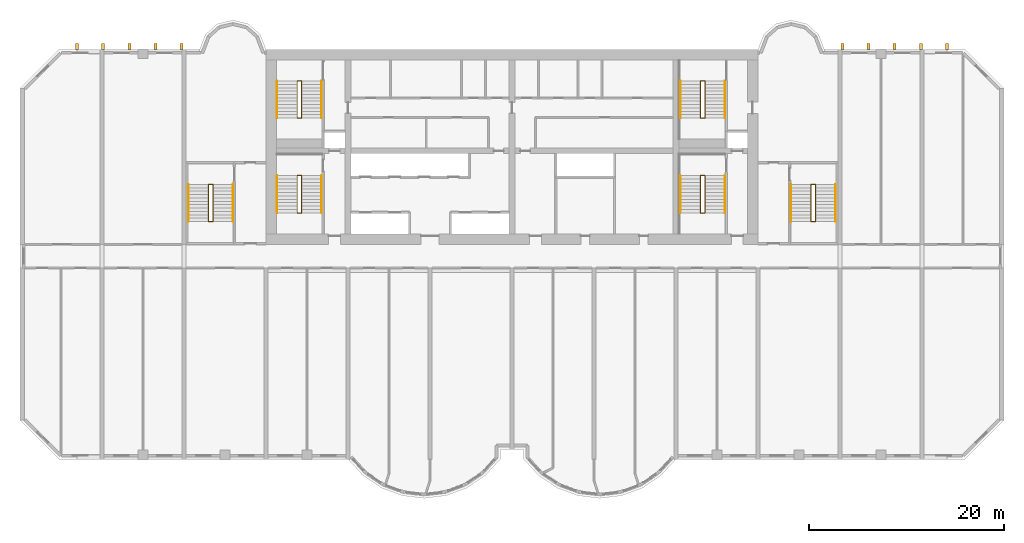
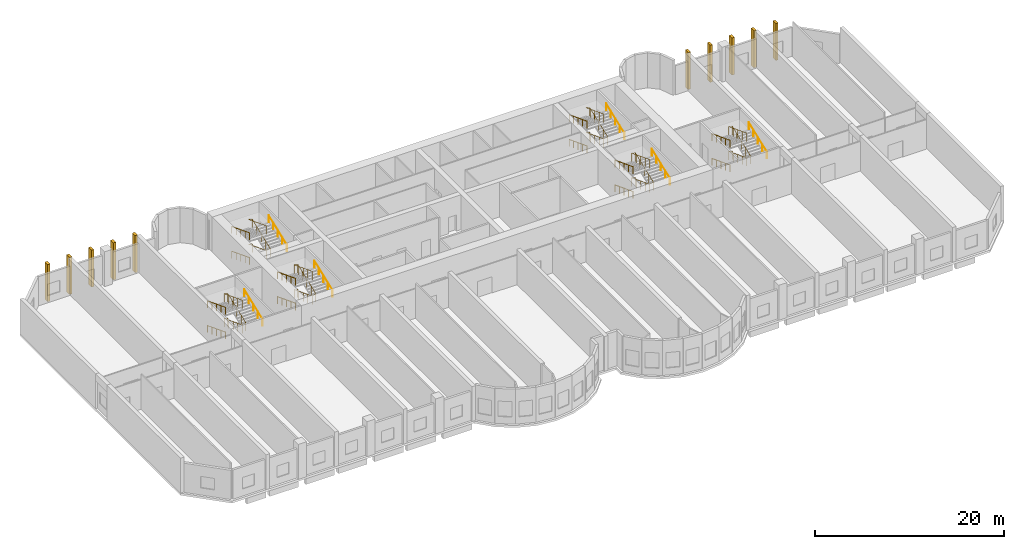
# One storey, part 10 of 10: 24 railings, 10 coverings.
"""IFC4 building model written with IfcOpenShell, lengths in metres."""

from ifc_helpers import new_model, si_unit, direction, frame, origin, origin_2d, place, context, subcontext, project, spatial, rectangle, circle, extrude, source, transform, mapped, material, material_profile, profile_set, type_object, element, save


model = new_model("IFC4")

# Units and contexts
model_context = context("Model", 3, precision=1e-05, world=origin(), true_north=direction((0.0, 1.0)))
body_context = subcontext(model_context, "Body", "Model", "MODEL_VIEW")
ifc_project = project(units=[si_unit("LENGTHUNIT", "METRE"), si_unit("AREAUNIT", "SQUARE_METRE"), si_unit("VOLUMEUNIT", "CUBIC_METRE"), si_unit("PLANEANGLEUNIT", "RADIAN"), si_unit("MASSUNIT", "GRAM", prefix="KILO")], contexts=[model_context])

# Site, building, storey
site_placement = place(None, origin())
site = spatial("IfcSite", under=ifc_project, at=site_placement, CompositionType="ELEMENT")
building_placement = place(site_placement, origin())
building = spatial("IfcBuilding", under=site, at=building_placement, Name="Vanashikhar Sky Hotel", CompositionType="ELEMENT")
storey_placement = place(building_placement, frame((0.0, 0.0, 23.0)))
storey = spatial("IfcBuildingStorey", under=building, at=storey_placement, Name="L04", CompositionType="ELEMENT", Elevation=23.0)

# Coverings
ifc_material_1 = material(Name="Concrete M60 dark", Category="concrete")
ifc_material_profile = material_profile(ifc_material_1, rectangle(XDim=0.60009765625, YDim=0.300048828125, at=origin_2d()))
ifc_profile_set = profile_set([ifc_material_profile], Name="Rear rib 600 x 300")
covering_type = type_object("IfcCoveringType", Name="Rear rib 600 x 300", PredefinedType="CLADDING", material=ifc_profile_set)
shared_shape_1 = source(origin(), body_context, "Body", "SweptSolid", [
    extrude(rectangle(XDim=0.60009765625, YDim=0.300048828125, at=origin_2d()), origin(), (0.0, 0.0, 1.0), 4.800048828125),
])
for number, where, z_axis, x_axis, name in (
    (1, (5.840087890625, 42.300048828125, -0.280029296875), (0.0, 0.0, 1.0), (0.0, 1.0, 0.0), "Rear rib"),
    (2, (8.52001953125, 42.300048828125, -0.280029296875), (0.0, 0.0, 1.0), (0.0, 1.0, 0.0), "Rear rib"),
    (3, (11.199951171875, 42.300048828125, -0.280029296875), (0.0, 0.0, 1.0), (0.0, 1.0, 0.0), "Rear rib"),
    (4, (13.8798828125, 42.300048828125, -0.280029296875), (0.0, 0.0, 1.0), (0.0, 1.0, 0.0), "Rear rib"),
    (5, (16.56005859375, 42.300048828125, -0.280029296875), (0.0, 0.0, 1.0), (0.0, 1.0, 0.0), "Rear rib"),
    (6, (84.239990234375, 42.300048828125, -0.280029296875), (0.0, 0.0, 1.0), (0.0, 1.0, 0.0), "Rear rib"),
    (7, (86.919921875, 42.300048828125, -0.280029296875), (0.0, 0.0, 1.0), (0.0, 1.0, 0.0), "Rear rib"),
    (8, (89.60009765625, 42.300048828125, -0.280029296875), (0.0, 0.0, 1.0), (0.0, 1.0, 0.0), "Rear rib"),
    (9, (92.280029296875, 42.300048828125, -0.280029296875), (0.0, 0.0, 1.0), (0.0, 1.0, 0.0), "Rear rib"),
    (10, (94.9599609375, 42.300048828125, -0.280029296875), (0.0, 0.0, 1.0), (0.0, 1.0, 0.0), "Rear rib"),
):
    element("IfcCovering", number, at=place(storey_placement, frame(where, z_axis=z_axis, x_axis=x_axis)), inside=storey, type_object=covering_type, Name=name, PredefinedType="CLADDING", context=body_context, shape_type="MappedRepresentation", body=[
        mapped(shared_shape_1, transform((0.0, 0.0, 0.0), scale=1.0)),
    ])

# Railings
ifc_material_2 = material(Name="Steel S355", Category="steel")
railing_type_1 = type_object("IfcRailingType", Name="Stair guard 1100", PredefinedType="GUARDRAIL", material=ifc_material_2)
shared_shape_2 = source(origin(), body_context, "Body", "SweptSolid", [
    extrude(circle(Radius=0.02392578125, at=origin_2d()), frame((0.0, 0.0, 1.076171875), z_axis=(-0.958850553768, 0.0, 0.283911281105), x_axis=(0.0, -1.0, 0.0)), (0.0, 0.0, 1.0), 0.469482421875),
    extrude(circle(Radius=0.02392578125, at=origin_2d()), frame((-0.4501953125, 0.0, 1.20947265625), z_axis=(0.0, -0.932913945768, 0.360099388768), x_axis=(1.0, 0.0, 0.0)), (0.0, 0.0, 1.0), 4.0732421875),
    extrude(circle(Radius=0.02392578125, at=origin_2d()), frame((-0.4501953125, -3.800048828125, 2.67626953125), z_axis=(0.958850553768, 0.0, 0.283911281105), x_axis=(0.0, 1.0, 0.0)), (0.0, 0.0, 1.0), 0.469482421875),
    extrude(circle(Radius=0.02392578125, at=origin_2d()), frame((0.0, -3.800048828125, 2.8095703125), z_axis=(0.0, 0.932934079967, 0.360047222509), x_axis=(-1.0, 0.0, 0.0)), (0.0, 0.0, 1.0), 4.0732421875),
    extrude(circle(Radius=0.02392578125, at=origin_2d()), frame((0.0, 0.0, 4.27587890625), z_axis=(-0.958850553768, 0.0, 0.283911281105), x_axis=(0.0, -1.0, 0.0)), (0.0, 0.0, 1.0), 0.469482421875),
    extrude(circle(Radius=0.02392578125, at=origin_2d()), frame((-0.4501953125, 0.0, 4.4091796875), z_axis=(0.0, -0.932913945768, 0.360099388768), x_axis=(1.0, 0.0, 0.0)), (0.0, 0.0, 1.0), 4.0732421875),
    extrude(circle(Radius=0.02099609375, at=origin_2d()), origin(), (0.0, 0.0, 1.0), 1.052001953125),
    extrude(circle(Radius=0.02099609375, at=origin_2d()), frame((-0.4501953125, 0.0, 0.13330078125)), (0.0, 0.0, 1.0), 1.052001953125),
    extrude(circle(Radius=0.02099609375, at=origin_2d()), frame((-0.4501953125, -0.949951171875, 0.5)), (0.0, 0.0, 1.0), 1.052001953125),
    extrude(circle(Radius=0.02099609375, at=origin_2d()), frame((-0.4501953125, -1.89990234375, 0.86669921875)), (0.0, 0.0, 1.0), 1.052001953125),
    extrude(circle(Radius=0.02099609375, at=origin_2d()), frame((-0.4501953125, -2.85009765625, 1.2333984375)), (0.0, 0.0, 1.0), 1.052001953125),
    extrude(circle(Radius=0.02099609375, at=origin_2d()), frame((-0.4501953125, -3.800048828125, 1.60009765625)), (0.0, 0.0, 1.0), 1.052001953125),
    extrude(circle(Radius=0.02099609375, at=origin_2d()), frame((0.0, -3.800048828125, 1.7333984375)), (0.0, 0.0, 1.0), 1.052001953125),
    extrude(circle(Radius=0.02099609375, at=origin_2d()), frame((0.0, -2.85009765625, 2.10009765625)), (0.0, 0.0, 1.0), 1.052001953125),
    extrude(circle(Radius=0.02099609375, at=origin_2d()), frame((0.0, -1.89990234375, 2.466796875)), (0.0, 0.0, 1.0), 1.052001953125),
    extrude(circle(Radius=0.02099609375, at=origin_2d()), frame((0.0, -0.949951171875, 2.833251953125)), (0.0, 0.0, 1.0), 1.052001953125),
    extrude(circle(Radius=0.02099609375, at=origin_2d()), frame((0.0, 0.0, 3.199951171875)), (0.0, 0.0, 1.0), 1.052001953125),
    extrude(circle(Radius=0.02099609375, at=origin_2d()), frame((-0.4501953125, 0.0, 3.333251953125)), (0.0, 0.0, 1.0), 1.052001953125),
    extrude(circle(Radius=0.02099609375, at=origin_2d()), frame((-0.4501953125, -0.949951171875, 3.699951171875)), (0.0, 0.0, 1.0), 1.052001953125),
    extrude(circle(Radius=0.02099609375, at=origin_2d()), frame((-0.4501953125, -1.89990234375, 4.066650390625)), (0.0, 0.0, 1.0), 1.052001953125),
    extrude(circle(Radius=0.02099609375, at=origin_2d()), frame((-0.4501953125, -2.85009765625, 4.433349609375)), (0.0, 0.0, 1.0), 1.052001953125),
    extrude(circle(Radius=0.02099609375, at=origin_2d()), frame((-0.4501953125, -3.800048828125, 4.800048828125)), (0.0, 0.0, 1.0), 1.052001953125),
])
for number, where, name in (
    (11, (28.85009765625, 29.050048828125, 0.0), "Exit stair 1 guard"),
    (12, (28.85009765625, 38.75, 0.0), "Exit stair 5 guard"),
):
    element("IfcRailing", number, at=place(storey_placement, frame(where)), inside=storey, type_object=railing_type_1, Name=name, PredefinedType="GUARDRAIL", context=body_context, shape_type="MappedRepresentation", body=[
        mapped(shared_shape_2, transform((0.0, 0.0, 0.0), scale=1.0)),
    ])
railing_type_2 = type_object("IfcRailingType", Name="Stair handrail 900", PredefinedType="HANDRAIL", material=ifc_material_2)
shared_shape_3 = source(origin(), body_context, "Body", "SweptSolid", [
    extrude(circle(Radius=0.02392578125, at=origin_2d()), frame((0.0, 0.0, 0.8759765625), z_axis=(0.0, -0.932913945768, 0.360099388768), x_axis=(1.0, 0.0, 0.0)), (0.0, 0.0, 1.0), 4.0732421875),
    extrude(circle(Radius=0.02099609375, at=origin_2d()), origin(), (0.0, 0.0, 1.0), 0.851806640625),
    extrude(circle(Radius=0.02099609375, at=origin_2d()), frame((0.0, -0.949951171875, 0.36669921875)), (0.0, 0.0, 1.0), 0.851806640625),
    extrude(circle(Radius=0.02099609375, at=origin_2d()), frame((0.0, -1.89990234375, 0.7333984375)), (0.0, 0.0, 1.0), 0.851806640625),
    extrude(circle(Radius=0.02099609375, at=origin_2d()), frame((0.0, -2.85009765625, 1.10009765625)), (0.0, 0.0, 1.0), 0.851806640625),
    extrude(circle(Radius=0.02099609375, at=origin_2d()), frame((0.0, -3.800048828125, 1.466796875)), (0.0, 0.0, 1.0), 0.851806640625),
])
for number, where, name in (
    (13, (26.35009765625, 29.050048828125, 0.13330078125), "Exit stair 1 handrail"),
    (14, (26.35009765625, 29.050048828125, 3.333251953125), "Exit stair 1 handrail"),
    (15, (67.64990234375, 29.050048828125, 0.13330078125), "Exit stair 2 handrail"),
    (16, (67.64990234375, 29.050048828125, 3.333251953125), "Exit stair 2 handrail"),
    (17, (26.35009765625, 38.75, 0.13330078125), "Exit stair 5 handrail"),
    (18, (26.35009765625, 38.75, 3.333251953125), "Exit stair 5 handrail"),
    (19, (67.64990234375, 38.75, 0.13330078125), "Exit stair 6 handrail"),
    (20, (67.64990234375, 38.75, 3.333251953125), "Exit stair 6 handrail"),
):
    element("IfcRailing", number, at=place(storey_placement, frame(where)), inside=storey, type_object=railing_type_2, Name=name, PredefinedType="HANDRAIL", context=body_context, shape_type="MappedRepresentation", body=[
        mapped(shared_shape_3, transform((0.0, 0.0, 0.0), scale=1.0)),
    ])
shared_shape_4 = source(origin(), body_context, "Body", "SweptSolid", [
    extrude(circle(Radius=0.02392578125, at=origin_2d()), frame((0.0, 0.0, 0.8759765625), z_axis=(0.0, 0.932934079967, 0.360047222509), x_axis=(-1.0, 0.0, 0.0)), (0.0, 0.0, 1.0), 4.0732421875),
    extrude(circle(Radius=0.02099609375, at=origin_2d()), origin(), (0.0, 0.0, 1.0), 0.851806640625),
    extrude(circle(Radius=0.02099609375, at=origin_2d()), frame((0.0, 0.949951171875, 0.36669921875)), (0.0, 0.0, 1.0), 0.851806640625),
    extrude(circle(Radius=0.02099609375, at=origin_2d()), frame((0.0, 1.89990234375, 0.7333984375)), (0.0, 0.0, 1.0), 0.851806640625),
    extrude(circle(Radius=0.02099609375, at=origin_2d()), frame((0.0, 2.85009765625, 1.099853515625)), (0.0, 0.0, 1.0), 0.851806640625),
    extrude(circle(Radius=0.02099609375, at=origin_2d()), frame((0.0, 3.800048828125, 1.466552734375)), (0.0, 0.0, 1.0), 0.851806640625),
])
for number, where, name in (
    (21, (30.89990234375, 25.25, 1.7333984375), "Exit stair 1 handrail"),
    (22, (72.199951171875, 25.25, 1.7333984375), "Exit stair 2 handrail"),
    (23, (30.89990234375, 34.949951171875, 1.7333984375), "Exit stair 5 handrail"),
    (24, (72.199951171875, 34.949951171875, 1.7333984375), "Exit stair 6 handrail"),
):
    element("IfcRailing", number, at=place(storey_placement, frame(where)), inside=storey, type_object=railing_type_2, Name=name, PredefinedType="HANDRAIL", context=body_context, shape_type="MappedRepresentation", body=[
        mapped(shared_shape_4, transform((0.0, 0.0, 0.0), scale=1.0)),
    ])
shared_shape_5 = source(origin(), body_context, "Body", "SweptSolid", [
    extrude(circle(Radius=0.02392578125, at=origin_2d()), frame((0.0, 0.0, 1.076171875), z_axis=(-0.958808608768, 0.0, 0.284052903086), x_axis=(0.0, -1.0, 0.0)), (0.0, 0.0, 1.0), 0.46923828125),
    extrude(circle(Radius=0.02392578125, at=origin_2d()), frame((-0.449951171875, 0.0, 1.20947265625), z_axis=(0.0, -0.932913945768, 0.360099388768), x_axis=(1.0, 0.0, 0.0)), (0.0, 0.0, 1.0), 4.0732421875),
    extrude(circle(Radius=0.02392578125, at=origin_2d()), frame((-0.449951171875, -3.800048828125, 2.67626953125), z_axis=(0.958808608768, 0.0, 0.284052903086), x_axis=(0.0, 1.0, 0.0)), (0.0, 0.0, 1.0), 0.46923828125),
    extrude(circle(Radius=0.02392578125, at=origin_2d()), frame((0.0, -3.800048828125, 2.8095703125), z_axis=(0.0, 0.932934079967, 0.360047222509), x_axis=(-1.0, 0.0, 0.0)), (0.0, 0.0, 1.0), 4.0732421875),
    extrude(circle(Radius=0.02392578125, at=origin_2d()), frame((0.0, 0.0, 4.27587890625), z_axis=(-0.958808608768, 0.0, 0.284052903086), x_axis=(0.0, -1.0, 0.0)), (0.0, 0.0, 1.0), 0.46923828125),
    extrude(circle(Radius=0.02392578125, at=origin_2d()), frame((-0.449951171875, 0.0, 4.4091796875), z_axis=(0.0, -0.932913945768, 0.360099388768), x_axis=(1.0, 0.0, 0.0)), (0.0, 0.0, 1.0), 4.0732421875),
    extrude(circle(Radius=0.02099609375, at=origin_2d()), origin(), (0.0, 0.0, 1.0), 1.052001953125),
    extrude(circle(Radius=0.02099609375, at=origin_2d()), frame((-0.449951171875, 0.0, 0.13330078125)), (0.0, 0.0, 1.0), 1.052001953125),
    extrude(circle(Radius=0.02099609375, at=origin_2d()), frame((-0.449951171875, -0.949951171875, 0.5)), (0.0, 0.0, 1.0), 1.052001953125),
    extrude(circle(Radius=0.02099609375, at=origin_2d()), frame((-0.449951171875, -1.89990234375, 0.86669921875)), (0.0, 0.0, 1.0), 1.052001953125),
    extrude(circle(Radius=0.02099609375, at=origin_2d()), frame((-0.449951171875, -2.85009765625, 1.2333984375)), (0.0, 0.0, 1.0), 1.052001953125),
    extrude(circle(Radius=0.02099609375, at=origin_2d()), frame((-0.449951171875, -3.800048828125, 1.60009765625)), (0.0, 0.0, 1.0), 1.052001953125),
    extrude(circle(Radius=0.02099609375, at=origin_2d()), frame((0.0, -3.800048828125, 1.7333984375)), (0.0, 0.0, 1.0), 1.052001953125),
    extrude(circle(Radius=0.02099609375, at=origin_2d()), frame((0.0, -2.85009765625, 2.10009765625)), (0.0, 0.0, 1.0), 1.052001953125),
    extrude(circle(Radius=0.02099609375, at=origin_2d()), frame((0.0, -1.89990234375, 2.466796875)), (0.0, 0.0, 1.0), 1.052001953125),
    extrude(circle(Radius=0.02099609375, at=origin_2d()), frame((0.0, -0.949951171875, 2.833251953125)), (0.0, 0.0, 1.0), 1.052001953125),
    extrude(circle(Radius=0.02099609375, at=origin_2d()), frame((0.0, 0.0, 3.199951171875)), (0.0, 0.0, 1.0), 1.052001953125),
    extrude(circle(Radius=0.02099609375, at=origin_2d()), frame((-0.449951171875, 0.0, 3.333251953125)), (0.0, 0.0, 1.0), 1.052001953125),
    extrude(circle(Radius=0.02099609375, at=origin_2d()), frame((-0.449951171875, -0.949951171875, 3.699951171875)), (0.0, 0.0, 1.0), 1.052001953125),
    extrude(circle(Radius=0.02099609375, at=origin_2d()), frame((-0.449951171875, -1.89990234375, 4.066650390625)), (0.0, 0.0, 1.0), 1.052001953125),
    extrude(circle(Radius=0.02099609375, at=origin_2d()), frame((-0.449951171875, -2.85009765625, 4.433349609375)), (0.0, 0.0, 1.0), 1.052001953125),
    extrude(circle(Radius=0.02099609375, at=origin_2d()), frame((-0.449951171875, -3.800048828125, 4.800048828125)), (0.0, 0.0, 1.0), 1.052001953125),
])
for number, where, name in (
    (25, (70.14990234375, 29.050048828125, 0.0), "Exit stair 2 guard"),
    (26, (70.14990234375, 38.75, 0.0), "Exit stair 6 guard"),
):
    element("IfcRailing", number, at=place(storey_placement, frame(where)), inside=storey, type_object=railing_type_1, Name=name, PredefinedType="GUARDRAIL", context=body_context, shape_type="MappedRepresentation", body=[
        mapped(shared_shape_5, transform((0.0, 0.0, 0.0), scale=1.0)),
    ])
shared_shape_6 = source(origin(), body_context, "Body", "SweptSolid", [
    extrude(circle(Radius=0.02392578125, at=origin_2d()), frame((0.0, 0.0, 1.076171875), z_axis=(-0.958808608768, 0.0, 0.284052903086), x_axis=(0.0, -1.0, 0.0)), (0.0, 0.0, 1.0), 0.46923828125),
    extrude(circle(Radius=0.02392578125, at=origin_2d()), frame((-0.449951171875, 0.0, 1.20947265625), z_axis=(0.0, -0.932906173037, 0.360119525032), x_axis=(1.0, 0.0, 0.0)), (0.0, 0.0, 1.0), 4.072998046875),
    extrude(circle(Radius=0.02392578125, at=origin_2d()), frame((-0.449951171875, -3.7998046875, 2.67626953125), z_axis=(0.958808608768, 0.0, 0.284052903086), x_axis=(0.0, 1.0, 0.0)), (0.0, 0.0, 1.0), 0.46923828125),
    extrude(circle(Radius=0.02392578125, at=origin_2d()), frame((0.0, -3.7998046875, 2.8095703125), z_axis=(0.0, 0.932926309319, 0.360067356726), x_axis=(-1.0, 0.0, 0.0)), (0.0, 0.0, 1.0), 4.072998046875),
    extrude(circle(Radius=0.02392578125, at=origin_2d()), frame((0.0, 0.0, 4.27587890625), z_axis=(-0.958808608768, 0.0, 0.284052903086), x_axis=(0.0, -1.0, 0.0)), (0.0, 0.0, 1.0), 0.46923828125),
    extrude(circle(Radius=0.02392578125, at=origin_2d()), frame((-0.449951171875, 0.0, 4.4091796875), z_axis=(0.0, -0.932906173037, 0.360119525032), x_axis=(1.0, 0.0, 0.0)), (0.0, 0.0, 1.0), 4.072998046875),
    extrude(circle(Radius=0.02099609375, at=origin_2d()), origin(), (0.0, 0.0, 1.0), 1.052001953125),
    extrude(circle(Radius=0.02099609375, at=origin_2d()), frame((-0.449951171875, 0.0, 0.13330078125)), (0.0, 0.0, 1.0), 1.052001953125),
    extrude(circle(Radius=0.02099609375, at=origin_2d()), frame((-0.449951171875, -0.949951171875, 0.5)), (0.0, 0.0, 1.0), 1.052001953125),
    extrude(circle(Radius=0.02099609375, at=origin_2d()), frame((-0.449951171875, -1.89990234375, 0.86669921875)), (0.0, 0.0, 1.0), 1.052001953125),
    extrude(circle(Radius=0.02099609375, at=origin_2d()), frame((-0.449951171875, -2.849853515625, 1.2333984375)), (0.0, 0.0, 1.0), 1.052001953125),
    extrude(circle(Radius=0.02099609375, at=origin_2d()), frame((-0.449951171875, -3.7998046875, 1.60009765625)), (0.0, 0.0, 1.0), 1.052001953125),
    extrude(circle(Radius=0.02099609375, at=origin_2d()), frame((0.0, -3.7998046875, 1.7333984375)), (0.0, 0.0, 1.0), 1.052001953125),
    extrude(circle(Radius=0.02099609375, at=origin_2d()), frame((0.0, -2.849853515625, 2.10009765625)), (0.0, 0.0, 1.0), 1.052001953125),
    extrude(circle(Radius=0.02099609375, at=origin_2d()), frame((0.0, -1.89990234375, 2.466796875)), (0.0, 0.0, 1.0), 1.052001953125),
    extrude(circle(Radius=0.02099609375, at=origin_2d()), frame((0.0, -0.949951171875, 2.833251953125)), (0.0, 0.0, 1.0), 1.052001953125),
    extrude(circle(Radius=0.02099609375, at=origin_2d()), frame((0.0, 0.0, 3.199951171875)), (0.0, 0.0, 1.0), 1.052001953125),
    extrude(circle(Radius=0.02099609375, at=origin_2d()), frame((-0.449951171875, 0.0, 3.333251953125)), (0.0, 0.0, 1.0), 1.052001953125),
    extrude(circle(Radius=0.02099609375, at=origin_2d()), frame((-0.449951171875, -0.949951171875, 3.699951171875)), (0.0, 0.0, 1.0), 1.052001953125),
    extrude(circle(Radius=0.02099609375, at=origin_2d()), frame((-0.449951171875, -1.89990234375, 4.066650390625)), (0.0, 0.0, 1.0), 1.052001953125),
    extrude(circle(Radius=0.02099609375, at=origin_2d()), frame((-0.449951171875, -2.849853515625, 4.433349609375)), (0.0, 0.0, 1.0), 1.052001953125),
    extrude(circle(Radius=0.02099609375, at=origin_2d()), frame((-0.449951171875, -3.7998046875, 4.800048828125)), (0.0, 0.0, 1.0), 1.052001953125),
])
for number, where, name in (
    (27, (19.75, 28.14990234375, 0.0), "Exit stair 3 guard"),
    (28, (81.5, 28.14990234375, 0.0), "Exit stair 4 guard"),
):
    element("IfcRailing", number, at=place(storey_placement, frame(where)), inside=storey, type_object=railing_type_1, Name=name, PredefinedType="GUARDRAIL", context=body_context, shape_type="MappedRepresentation", body=[
        mapped(shared_shape_6, transform((0.0, 0.0, 0.0), scale=1.0)),
    ])
shared_shape_7 = source(origin(), body_context, "Body", "SweptSolid", [
    extrude(circle(Radius=0.02392578125, at=origin_2d()), frame((0.0, 0.0, 0.8759765625), z_axis=(0.0, -0.932906173037, 0.360119525032), x_axis=(1.0, 0.0, 0.0)), (0.0, 0.0, 1.0), 4.072998046875),
    extrude(circle(Radius=0.02099609375, at=origin_2d()), origin(), (0.0, 0.0, 1.0), 0.851806640625),
    extrude(circle(Radius=0.02099609375, at=origin_2d()), frame((0.0, -0.949951171875, 0.36669921875)), (0.0, 0.0, 1.0), 0.851806640625),
    extrude(circle(Radius=0.02099609375, at=origin_2d()), frame((0.0, -1.89990234375, 0.7333984375)), (0.0, 0.0, 1.0), 0.851806640625),
    extrude(circle(Radius=0.02099609375, at=origin_2d()), frame((0.0, -2.849853515625, 1.10009765625)), (0.0, 0.0, 1.0), 0.851806640625),
    extrude(circle(Radius=0.02099609375, at=origin_2d()), frame((0.0, -3.7998046875, 1.466796875)), (0.0, 0.0, 1.0), 0.851806640625),
])
for number, where, name in (
    (29, (17.25, 28.14990234375, 0.13330078125), "Exit stair 3 handrail"),
    (30, (17.25, 28.14990234375, 3.333251953125), "Exit stair 3 handrail"),
    (31, (79.0, 28.14990234375, 0.13330078125), "Exit stair 4 handrail"),
    (32, (79.0, 28.14990234375, 3.333251953125), "Exit stair 4 handrail"),
):
    element("IfcRailing", number, at=place(storey_placement, frame(where)), inside=storey, type_object=railing_type_2, Name=name, PredefinedType="HANDRAIL", context=body_context, shape_type="MappedRepresentation", body=[
        mapped(shared_shape_7, transform((0.0, 0.0, 0.0), scale=1.0)),
    ])
shared_shape_8 = source(origin(), body_context, "Body", "SweptSolid", [
    extrude(circle(Radius=0.02392578125, at=origin_2d()), frame((0.0, 0.0, 0.8759765625), z_axis=(0.0, 0.932926309319, 0.360067356726), x_axis=(-1.0, 0.0, 0.0)), (0.0, 0.0, 1.0), 4.072998046875),
    extrude(circle(Radius=0.02099609375, at=origin_2d()), origin(), (0.0, 0.0, 1.0), 0.851806640625),
    extrude(circle(Radius=0.02099609375, at=origin_2d()), frame((0.0, 0.949951171875, 0.36669921875)), (0.0, 0.0, 1.0), 0.851806640625),
    extrude(circle(Radius=0.02099609375, at=origin_2d()), frame((0.0, 1.89990234375, 0.7333984375)), (0.0, 0.0, 1.0), 0.851806640625),
    extrude(circle(Radius=0.02099609375, at=origin_2d()), frame((0.0, 2.849853515625, 1.099853515625)), (0.0, 0.0, 1.0), 0.851806640625),
    extrude(circle(Radius=0.02099609375, at=origin_2d()), frame((0.0, 3.7998046875, 1.466552734375)), (0.0, 0.0, 1.0), 0.851806640625),
])
for number, where, name in (
    (33, (21.800048828125, 24.35009765625, 1.7333984375), "Exit stair 3 handrail"),
    (34, (83.550048828125, 24.35009765625, 1.7333984375), "Exit stair 4 handrail"),
):
    element("IfcRailing", number, at=place(storey_placement, frame(where)), inside=storey, type_object=railing_type_2, Name=name, PredefinedType="HANDRAIL", context=body_context, shape_type="MappedRepresentation", body=[
        mapped(shared_shape_8, transform((0.0, 0.0, 0.0), scale=1.0)),
    ])

save(model, "model.ifc")
